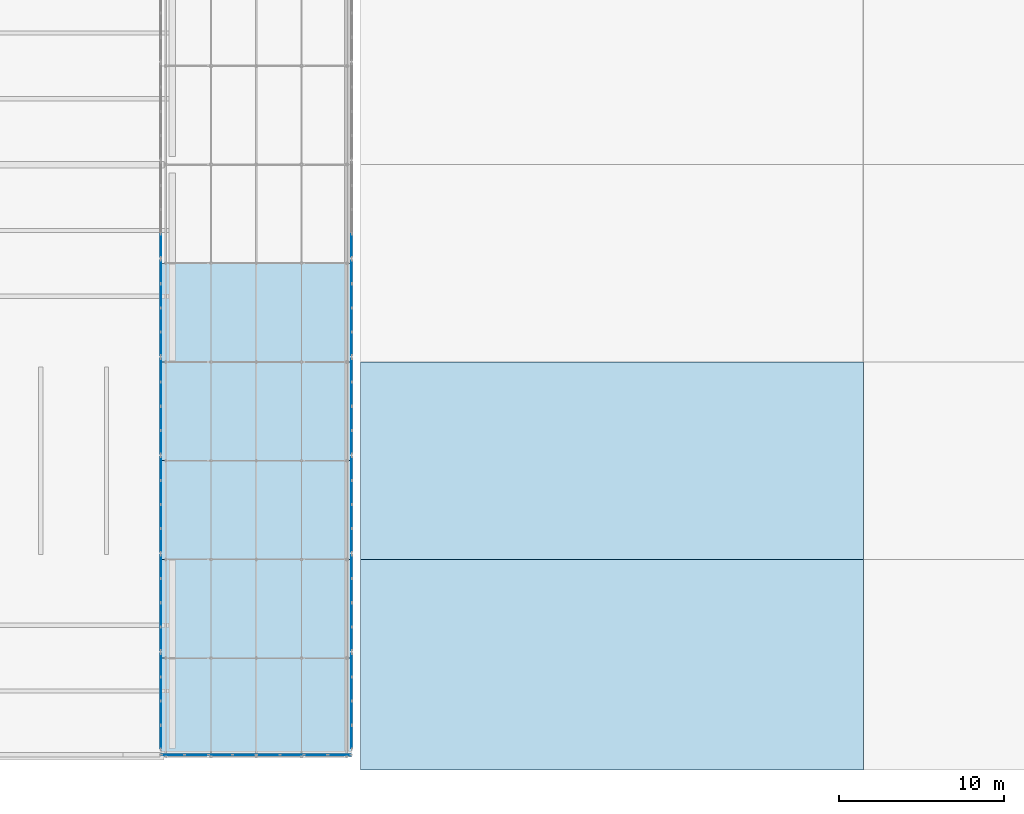
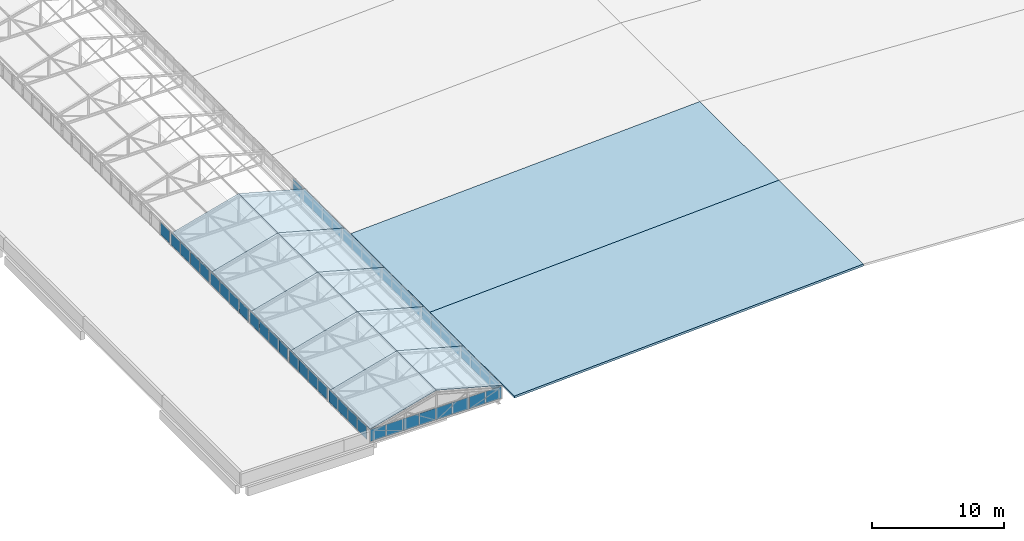
# One storey, part 77 of 94: 50 plates, 12 slabs, 13 elements without a shape of their own.
"""IFC4 building model written with IfcOpenShell, lengths in metres."""

from ifc_helpers import new_model, si_unit, direction, frame, origin, origin_2d, place, context, subcontext, project, spatial, polyline, rectangle, outline, extrude, material, layer, layer_set, type_object, element, aggregate, save


model = new_model("IFC4")

# Units and contexts
model_context = context("Model", 3, precision=1e-05, world=origin(), true_north=direction((0.0, 1.0)))
body_context = subcontext(model_context, "Body", "Model", "MODEL_VIEW")
ifc_project = project(units=[si_unit("LENGTHUNIT", "METRE"), si_unit("AREAUNIT", "SQUARE_METRE"), si_unit("VOLUMEUNIT", "CUBIC_METRE"), si_unit("PLANEANGLEUNIT", "RADIAN"), si_unit("MASSUNIT", "GRAM", prefix="KILO")], contexts=[model_context])

# Site, building, storey
site_placement = place(None, origin())
site = spatial("IfcSite", under=ifc_project, at=site_placement, CompositionType="ELEMENT")
building_placement = place(site_placement, origin())
building = spatial("IfcBuilding", under=site, at=building_placement, Name="Lilac Gate Convention Centre", CompositionType="ELEMENT")
storey_placement = place(building_placement, frame((0.0, 0.0, 21.0)))
storey = spatial("IfcBuildingStorey", under=building, at=storey_placement, Name="L04", CompositionType="ELEMENT", Elevation=21.0)

# Curtain wall, plates
ifc_material_1 = material(Name="Aluminium framed double glazing", Category="aluminium")
ifc_layer_1 = layer(ifc_material_1, 0.199951171875)
ifc_layer_set_1 = layer_set([ifc_layer_1], Name="Aluminium framed double glazing")
curtain_wall_type = type_object("IfcCurtainWallType", Name="Unitised curtain wall 1500", PredefinedType="NOTDEFINED", material=ifc_layer_set_1)
curtain_wall_1_placement = place(storey_placement, origin())
curtain_wall_1 = element("IfcCurtainWall", 1, at=curtain_wall_1_placement, inside=storey, type_object=curtain_wall_type, Name="Lantern clerestory W 1", PredefinedType="NOTDEFINED")
ifc_material_2 = material(Name="Double glazed unit low emissivity")
ifc_layer_2 = layer(ifc_material_2, 0.028076171875)
ifc_layer_set_2 = layer_set([ifc_layer_2], Name="Double glazed unit low emissivity")
plate_type = type_object("IfcPlateType", Name="Curtain wall glass panel 28", PredefinedType="CURTAIN_PANEL", material=ifc_layer_set_2)
plate_1_placement = place(storey_placement, frame((17.300048828125, 31.19921875, 0.06005859375), z_axis=(0.0, 0.0, 1.0), x_axis=(0.0, 1.0, 0.0)))
plate_1 = element("IfcPlate", 2, at=plate_1_placement, type_object=plate_type, Name="CW panel 1.1", PredefinedType="CURTAIN_PANEL", context=body_context, shape_type="SweptSolid", body=[
    extrude(rectangle(XDim=1.378662109375, YDim=0.028076171875, at=origin_2d()), origin(), (0.0, 0.0, 1.0), 1.152099609375),
])
plate_2_placement = place(storey_placement, frame((17.300048828125, 32.653076171875, 0.06005859375), z_axis=(0.0, 0.0, 1.0), x_axis=(0.0, 1.0, 0.0)))
plate_2 = element("IfcPlate", 3, at=plate_2_placement, type_object=plate_type, Name="CW panel 2.1", PredefinedType="CURTAIN_PANEL", context=body_context, shape_type="SweptSolid", body=[
    extrude(rectangle(XDim=1.40869140625, YDim=0.028076171875, at=origin_2d()), origin(), (0.0, 0.0, 1.0), 1.152099609375),
])
plate_3_placement = place(storey_placement, frame((17.300048828125, 34.121826171875, 0.06005859375), z_axis=(0.0, 0.0, 1.0), x_axis=(0.0, 1.0, 0.0)))
plate_3 = element("IfcPlate", 4, at=plate_3_placement, type_object=plate_type, Name="CW panel 3.1", PredefinedType="CURTAIN_PANEL", context=body_context, shape_type="SweptSolid", body=[
    extrude(rectangle(XDim=1.40869140625, YDim=0.028076171875, at=origin_2d()), origin(), (0.0, 0.0, 1.0), 1.152099609375),
])
plate_4_placement = place(storey_placement, frame((17.300048828125, 35.57568359375, 0.06005859375), z_axis=(0.0, 0.0, 1.0), x_axis=(0.0, 1.0, 0.0)))
plate_4 = element("IfcPlate", 5, at=plate_4_placement, type_object=plate_type, Name="CW panel 4.1", PredefinedType="CURTAIN_PANEL", context=body_context, shape_type="SweptSolid", body=[
    extrude(rectangle(XDim=1.378662109375, YDim=0.028076171875, at=origin_2d()), origin(), (0.0, 0.0, 1.0), 1.152099609375),
])
aggregate(curtain_wall_1, [plate_1, plate_2, plate_3, plate_4])

curtain_wall_2_placement = place(storey_placement, origin())
curtain_wall_2 = element("IfcCurtainWall", 6, at=curtain_wall_2_placement, inside=storey, type_object=curtain_wall_type, Name="Lantern clerestory W 2", PredefinedType="NOTDEFINED")
plate_5_placement = place(storey_placement, frame((17.300048828125, 37.17431640625, 0.06005859375), z_axis=(0.0, 0.0, 1.0), x_axis=(0.0, 1.0, 0.0)))
plate_5 = element("IfcPlate", 7, at=plate_5_placement, type_object=plate_type, Name="CW panel 1.1", PredefinedType="CURTAIN_PANEL", context=body_context, shape_type="SweptSolid", body=[
    extrude(rectangle(XDim=1.378662109375, YDim=0.028076171875, at=origin_2d()), origin(), (0.0, 0.0, 1.0), 1.152099609375),
])
plate_6_placement = place(storey_placement, frame((17.300048828125, 38.628173828125, 0.06005859375), z_axis=(0.0, 0.0, 1.0), x_axis=(0.0, 1.0, 0.0)))
plate_6 = element("IfcPlate", 8, at=plate_6_placement, type_object=plate_type, Name="CW panel 2.1", PredefinedType="CURTAIN_PANEL", context=body_context, shape_type="SweptSolid", body=[
    extrude(rectangle(XDim=1.40869140625, YDim=0.028076171875, at=origin_2d()), origin(), (0.0, 0.0, 1.0), 1.152099609375),
])
plate_7_placement = place(storey_placement, frame((17.300048828125, 40.096923828125, 0.06005859375), z_axis=(0.0, 0.0, 1.0), x_axis=(0.0, 1.0, 0.0)))
plate_7 = element("IfcPlate", 9, at=plate_7_placement, type_object=plate_type, Name="CW panel 3.1", PredefinedType="CURTAIN_PANEL", context=body_context, shape_type="SweptSolid", body=[
    extrude(rectangle(XDim=1.40869140625, YDim=0.028076171875, at=origin_2d()), origin(), (0.0, 0.0, 1.0), 1.152099609375),
])
plate_8_placement = place(storey_placement, frame((17.300048828125, 41.55078125, 0.06005859375), z_axis=(0.0, 0.0, 1.0), x_axis=(0.0, 1.0, 0.0)))
plate_8 = element("IfcPlate", 10, at=plate_8_placement, type_object=plate_type, Name="CW panel 4.1", PredefinedType="CURTAIN_PANEL", context=body_context, shape_type="SweptSolid", body=[
    extrude(rectangle(XDim=1.378662109375, YDim=0.028076171875, at=origin_2d()), origin(), (0.0, 0.0, 1.0), 1.152099609375),
])
aggregate(curtain_wall_2, [plate_5, plate_6, plate_7, plate_8])

curtain_wall_3_placement = place(storey_placement, origin())
curtain_wall_3 = element("IfcCurtainWall", 11, at=curtain_wall_3_placement, inside=storey, type_object=curtain_wall_type, Name="Lantern clerestory W 3", PredefinedType="NOTDEFINED")
plate_9_placement = place(storey_placement, frame((17.300048828125, 43.149169921875, 0.06005859375), z_axis=(0.0, 0.0, 1.0), x_axis=(0.0, 1.0, 0.0)))
plate_9 = element("IfcPlate", 12, at=plate_9_placement, type_object=plate_type, Name="CW panel 1.1", PredefinedType="CURTAIN_PANEL", context=body_context, shape_type="SweptSolid", body=[
    extrude(rectangle(XDim=1.378662109375, YDim=0.028076171875, at=origin_2d()), origin(), (0.0, 0.0, 1.0), 1.152099609375),
])
plate_10_placement = place(storey_placement, frame((17.300048828125, 44.60302734375, 0.06005859375), z_axis=(0.0, 0.0, 1.0), x_axis=(0.0, 1.0, 0.0)))
plate_10 = element("IfcPlate", 13, at=plate_10_placement, type_object=plate_type, Name="CW panel 2.1", PredefinedType="CURTAIN_PANEL", context=body_context, shape_type="SweptSolid", body=[
    extrude(rectangle(XDim=1.40869140625, YDim=0.028076171875, at=origin_2d()), origin(), (0.0, 0.0, 1.0), 1.152099609375),
])
plate_11_placement = place(storey_placement, frame((17.300048828125, 46.07177734375, 0.06005859375), z_axis=(0.0, 0.0, 1.0), x_axis=(0.0, 1.0, 0.0)))
plate_11 = element("IfcPlate", 14, at=plate_11_placement, type_object=plate_type, Name="CW panel 3.1", PredefinedType="CURTAIN_PANEL", context=body_context, shape_type="SweptSolid", body=[
    extrude(rectangle(XDim=1.40869140625, YDim=0.028076171875, at=origin_2d()), origin(), (0.0, 0.0, 1.0), 1.152099609375),
])
plate_12_placement = place(storey_placement, frame((17.300048828125, 47.525634765625, 0.06005859375), z_axis=(0.0, 0.0, 1.0), x_axis=(0.0, 1.0, 0.0)))
plate_12 = element("IfcPlate", 15, at=plate_12_placement, type_object=plate_type, Name="CW panel 4.1", PredefinedType="CURTAIN_PANEL", context=body_context, shape_type="SweptSolid", body=[
    extrude(rectangle(XDim=1.378662109375, YDim=0.028076171875, at=origin_2d()), origin(), (0.0, 0.0, 1.0), 1.152099609375),
])
aggregate(curtain_wall_3, [plate_9, plate_10, plate_11, plate_12])

curtain_wall_4_placement = place(storey_placement, origin())
curtain_wall_4 = element("IfcCurtainWall", 16, at=curtain_wall_4_placement, inside=storey, type_object=curtain_wall_type, Name="Lantern clerestory W 4", PredefinedType="NOTDEFINED")
plate_13_placement = place(storey_placement, frame((17.300048828125, 49.124267578125, 0.06005859375), z_axis=(0.0, 0.0, 1.0), x_axis=(0.0, 1.0, 0.0)))
plate_13 = element("IfcPlate", 17, at=plate_13_placement, type_object=plate_type, Name="CW panel 1.1", PredefinedType="CURTAIN_PANEL", context=body_context, shape_type="SweptSolid", body=[
    extrude(rectangle(XDim=1.378662109375, YDim=0.028076171875, at=origin_2d()), origin(), (0.0, 0.0, 1.0), 1.152099609375),
])
plate_14_placement = place(storey_placement, frame((17.300048828125, 50.578125, 0.06005859375), z_axis=(0.0, 0.0, 1.0), x_axis=(0.0, 1.0, 0.0)))
plate_14 = element("IfcPlate", 18, at=plate_14_placement, type_object=plate_type, Name="CW panel 2.1", PredefinedType="CURTAIN_PANEL", context=body_context, shape_type="SweptSolid", body=[
    extrude(rectangle(XDim=1.40869140625, YDim=0.028076171875, at=origin_2d()), origin(), (0.0, 0.0, 1.0), 1.152099609375),
])
plate_15_placement = place(storey_placement, frame((17.300048828125, 52.046875, 0.06005859375), z_axis=(0.0, 0.0, 1.0), x_axis=(0.0, 1.0, 0.0)))
plate_15 = element("IfcPlate", 19, at=plate_15_placement, type_object=plate_type, Name="CW panel 3.1", PredefinedType="CURTAIN_PANEL", context=body_context, shape_type="SweptSolid", body=[
    extrude(rectangle(XDim=1.40869140625, YDim=0.028076171875, at=origin_2d()), origin(), (0.0, 0.0, 1.0), 1.152099609375),
])
plate_16_placement = place(storey_placement, frame((17.300048828125, 53.500732421875, 0.06005859375), z_axis=(0.0, 0.0, 1.0), x_axis=(0.0, 1.0, 0.0)))
plate_16 = element("IfcPlate", 20, at=plate_16_placement, type_object=plate_type, Name="CW panel 4.1", PredefinedType="CURTAIN_PANEL", context=body_context, shape_type="SweptSolid", body=[
    extrude(rectangle(XDim=1.378662109375, YDim=0.028076171875, at=origin_2d()), origin(), (0.0, 0.0, 1.0), 1.152099609375),
])
aggregate(curtain_wall_4, [plate_13, plate_14, plate_15, plate_16])

curtain_wall_5_placement = place(storey_placement, origin())
curtain_wall_5 = element("IfcCurtainWall", 21, at=curtain_wall_5_placement, inside=storey, type_object=curtain_wall_type, Name="Lantern clerestory W 5", PredefinedType="NOTDEFINED")
plate_17_placement = place(storey_placement, frame((17.300048828125, 55.099365234375, 0.06005859375), z_axis=(0.0, 0.0, 1.0), x_axis=(0.0, 1.0, 0.0)))
plate_17 = element("IfcPlate", 22, at=plate_17_placement, type_object=plate_type, Name="CW panel 1.1", PredefinedType="CURTAIN_PANEL", context=body_context, shape_type="SweptSolid", body=[
    extrude(rectangle(XDim=1.378662109375, YDim=0.028076171875, at=origin_2d()), origin(), (0.0, 0.0, 1.0), 1.152099609375),
])
plate_18_placement = place(storey_placement, frame((17.300048828125, 56.55322265625, 0.06005859375), z_axis=(0.0, 0.0, 1.0), x_axis=(0.0, 1.0, 0.0)))
plate_18 = element("IfcPlate", 23, at=plate_18_placement, type_object=plate_type, Name="CW panel 2.1", PredefinedType="CURTAIN_PANEL", context=body_context, shape_type="SweptSolid", body=[
    extrude(rectangle(XDim=1.40869140625, YDim=0.028076171875, at=origin_2d()), origin(), (0.0, 0.0, 1.0), 1.152099609375),
])
plate_19_placement = place(storey_placement, frame((17.300048828125, 58.02197265625, 0.06005859375), z_axis=(0.0, 0.0, 1.0), x_axis=(0.0, 1.0, 0.0)))
plate_19 = element("IfcPlate", 24, at=plate_19_placement, type_object=plate_type, Name="CW panel 3.1", PredefinedType="CURTAIN_PANEL", context=body_context, shape_type="SweptSolid", body=[
    extrude(rectangle(XDim=1.40869140625, YDim=0.028076171875, at=origin_2d()), origin(), (0.0, 0.0, 1.0), 1.152099609375),
])
plate_20_placement = place(storey_placement, frame((17.300048828125, 59.475830078125, 0.06005859375), z_axis=(0.0, 0.0, 1.0), x_axis=(0.0, 1.0, 0.0)))
plate_20 = element("IfcPlate", 25, at=plate_20_placement, type_object=plate_type, Name="CW panel 4.1", PredefinedType="CURTAIN_PANEL", context=body_context, shape_type="SweptSolid", body=[
    extrude(rectangle(XDim=1.378662109375, YDim=0.028076171875, at=origin_2d()), origin(), (0.0, 0.0, 1.0), 1.152099609375),
])
aggregate(curtain_wall_5, [plate_17, plate_18, plate_19, plate_20])

# Curtain wall, plate
curtain_wall_6_placement = place(storey_placement, origin())
curtain_wall_6 = element("IfcCurtainWall", 26, at=curtain_wall_6_placement, inside=storey, type_object=curtain_wall_type, Name="Lantern clerestory W 6", PredefinedType="NOTDEFINED")
plate_21_placement = place(storey_placement, frame((17.300048828125, 61.07421875, 0.06005859375), z_axis=(0.0, 0.0, 1.0), x_axis=(0.0, 1.0, 0.0)))
plate_21 = element("IfcPlate", 27, at=plate_21_placement, type_object=plate_type, Name="CW panel 1.1", PredefinedType="CURTAIN_PANEL", context=body_context, shape_type="SweptSolid", body=[
    extrude(rectangle(XDim=1.378662109375, YDim=0.028076171875, at=origin_2d()), origin(), (0.0, 0.0, 1.0), 1.152099609375),
])
aggregate(curtain_wall_6, [plate_21])

# Curtain wall, plates
curtain_wall_7_placement = place(storey_placement, origin())
curtain_wall_7 = element("IfcCurtainWall", 28, at=curtain_wall_7_placement, inside=storey, type_object=curtain_wall_type, Name="Lantern clerestory E 1", PredefinedType="NOTDEFINED")
plate_22_placement = place(storey_placement, frame((28.89990234375, 31.19921875, 0.06005859375), z_axis=(0.0, 0.0, 1.0), x_axis=(0.0, 1.0, 0.0)))
plate_22 = element("IfcPlate", 29, at=plate_22_placement, type_object=plate_type, Name="CW panel 1.1", PredefinedType="CURTAIN_PANEL", context=body_context, shape_type="SweptSolid", body=[
    extrude(rectangle(XDim=1.378662109375, YDim=0.028076171875, at=origin_2d()), origin(), (0.0, 0.0, 1.0), 1.152099609375),
])
plate_23_placement = place(storey_placement, frame((28.89990234375, 32.653076171875, 0.06005859375), z_axis=(0.0, 0.0, 1.0), x_axis=(0.0, 1.0, 0.0)))
plate_23 = element("IfcPlate", 30, at=plate_23_placement, type_object=plate_type, Name="CW panel 2.1", PredefinedType="CURTAIN_PANEL", context=body_context, shape_type="SweptSolid", body=[
    extrude(rectangle(XDim=1.40869140625, YDim=0.028076171875, at=origin_2d()), origin(), (0.0, 0.0, 1.0), 1.152099609375),
])
plate_24_placement = place(storey_placement, frame((28.89990234375, 34.121826171875, 0.06005859375), z_axis=(0.0, 0.0, 1.0), x_axis=(0.0, 1.0, 0.0)))
plate_24 = element("IfcPlate", 31, at=plate_24_placement, type_object=plate_type, Name="CW panel 3.1", PredefinedType="CURTAIN_PANEL", context=body_context, shape_type="SweptSolid", body=[
    extrude(rectangle(XDim=1.40869140625, YDim=0.028076171875, at=origin_2d()), origin(), (0.0, 0.0, 1.0), 1.152099609375),
])
plate_25_placement = place(storey_placement, frame((28.89990234375, 35.57568359375, 0.06005859375), z_axis=(0.0, 0.0, 1.0), x_axis=(0.0, 1.0, 0.0)))
plate_25 = element("IfcPlate", 32, at=plate_25_placement, type_object=plate_type, Name="CW panel 4.1", PredefinedType="CURTAIN_PANEL", context=body_context, shape_type="SweptSolid", body=[
    extrude(rectangle(XDim=1.378662109375, YDim=0.028076171875, at=origin_2d()), origin(), (0.0, 0.0, 1.0), 1.152099609375),
])
aggregate(curtain_wall_7, [plate_22, plate_23, plate_24, plate_25])

curtain_wall_8_placement = place(storey_placement, origin())
curtain_wall_8 = element("IfcCurtainWall", 33, at=curtain_wall_8_placement, inside=storey, type_object=curtain_wall_type, Name="Lantern clerestory E 2", PredefinedType="NOTDEFINED")
plate_26_placement = place(storey_placement, frame((28.89990234375, 37.17431640625, 0.06005859375), z_axis=(0.0, 0.0, 1.0), x_axis=(0.0, 1.0, 0.0)))
plate_26 = element("IfcPlate", 34, at=plate_26_placement, type_object=plate_type, Name="CW panel 1.1", PredefinedType="CURTAIN_PANEL", context=body_context, shape_type="SweptSolid", body=[
    extrude(rectangle(XDim=1.378662109375, YDim=0.028076171875, at=origin_2d()), origin(), (0.0, 0.0, 1.0), 1.152099609375),
])
plate_27_placement = place(storey_placement, frame((28.89990234375, 38.628173828125, 0.06005859375), z_axis=(0.0, 0.0, 1.0), x_axis=(0.0, 1.0, 0.0)))
plate_27 = element("IfcPlate", 35, at=plate_27_placement, type_object=plate_type, Name="CW panel 2.1", PredefinedType="CURTAIN_PANEL", context=body_context, shape_type="SweptSolid", body=[
    extrude(rectangle(XDim=1.40869140625, YDim=0.028076171875, at=origin_2d()), origin(), (0.0, 0.0, 1.0), 1.152099609375),
])
plate_28_placement = place(storey_placement, frame((28.89990234375, 40.096923828125, 0.06005859375), z_axis=(0.0, 0.0, 1.0), x_axis=(0.0, 1.0, 0.0)))
plate_28 = element("IfcPlate", 36, at=plate_28_placement, type_object=plate_type, Name="CW panel 3.1", PredefinedType="CURTAIN_PANEL", context=body_context, shape_type="SweptSolid", body=[
    extrude(rectangle(XDim=1.40869140625, YDim=0.028076171875, at=origin_2d()), origin(), (0.0, 0.0, 1.0), 1.152099609375),
])
plate_29_placement = place(storey_placement, frame((28.89990234375, 41.55078125, 0.06005859375), z_axis=(0.0, 0.0, 1.0), x_axis=(0.0, 1.0, 0.0)))
plate_29 = element("IfcPlate", 37, at=plate_29_placement, type_object=plate_type, Name="CW panel 4.1", PredefinedType="CURTAIN_PANEL", context=body_context, shape_type="SweptSolid", body=[
    extrude(rectangle(XDim=1.378662109375, YDim=0.028076171875, at=origin_2d()), origin(), (0.0, 0.0, 1.0), 1.152099609375),
])
aggregate(curtain_wall_8, [plate_26, plate_27, plate_28, plate_29])

curtain_wall_9_placement = place(storey_placement, origin())
curtain_wall_9 = element("IfcCurtainWall", 38, at=curtain_wall_9_placement, inside=storey, type_object=curtain_wall_type, Name="Lantern clerestory E 3", PredefinedType="NOTDEFINED")
plate_30_placement = place(storey_placement, frame((28.89990234375, 43.149169921875, 0.06005859375), z_axis=(0.0, 0.0, 1.0), x_axis=(0.0, 1.0, 0.0)))
plate_30 = element("IfcPlate", 39, at=plate_30_placement, type_object=plate_type, Name="CW panel 1.1", PredefinedType="CURTAIN_PANEL", context=body_context, shape_type="SweptSolid", body=[
    extrude(rectangle(XDim=1.378662109375, YDim=0.028076171875, at=origin_2d()), origin(), (0.0, 0.0, 1.0), 1.152099609375),
])
plate_31_placement = place(storey_placement, frame((28.89990234375, 44.60302734375, 0.06005859375), z_axis=(0.0, 0.0, 1.0), x_axis=(0.0, 1.0, 0.0)))
plate_31 = element("IfcPlate", 40, at=plate_31_placement, type_object=plate_type, Name="CW panel 2.1", PredefinedType="CURTAIN_PANEL", context=body_context, shape_type="SweptSolid", body=[
    extrude(rectangle(XDim=1.40869140625, YDim=0.028076171875, at=origin_2d()), origin(), (0.0, 0.0, 1.0), 1.152099609375),
])
plate_32_placement = place(storey_placement, frame((28.89990234375, 46.07177734375, 0.06005859375), z_axis=(0.0, 0.0, 1.0), x_axis=(0.0, 1.0, 0.0)))
plate_32 = element("IfcPlate", 41, at=plate_32_placement, type_object=plate_type, Name="CW panel 3.1", PredefinedType="CURTAIN_PANEL", context=body_context, shape_type="SweptSolid", body=[
    extrude(rectangle(XDim=1.40869140625, YDim=0.028076171875, at=origin_2d()), origin(), (0.0, 0.0, 1.0), 1.152099609375),
])
plate_33_placement = place(storey_placement, frame((28.89990234375, 47.525634765625, 0.06005859375), z_axis=(0.0, 0.0, 1.0), x_axis=(0.0, 1.0, 0.0)))
plate_33 = element("IfcPlate", 42, at=plate_33_placement, type_object=plate_type, Name="CW panel 4.1", PredefinedType="CURTAIN_PANEL", context=body_context, shape_type="SweptSolid", body=[
    extrude(rectangle(XDim=1.378662109375, YDim=0.028076171875, at=origin_2d()), origin(), (0.0, 0.0, 1.0), 1.152099609375),
])
aggregate(curtain_wall_9, [plate_30, plate_31, plate_32, plate_33])

curtain_wall_10_placement = place(storey_placement, origin())
curtain_wall_10 = element("IfcCurtainWall", 43, at=curtain_wall_10_placement, inside=storey, type_object=curtain_wall_type, Name="Lantern clerestory E 4", PredefinedType="NOTDEFINED")
plate_34_placement = place(storey_placement, frame((28.89990234375, 49.124267578125, 0.06005859375), z_axis=(0.0, 0.0, 1.0), x_axis=(0.0, 1.0, 0.0)))
plate_34 = element("IfcPlate", 44, at=plate_34_placement, type_object=plate_type, Name="CW panel 1.1", PredefinedType="CURTAIN_PANEL", context=body_context, shape_type="SweptSolid", body=[
    extrude(rectangle(XDim=1.378662109375, YDim=0.028076171875, at=origin_2d()), origin(), (0.0, 0.0, 1.0), 1.152099609375),
])
plate_35_placement = place(storey_placement, frame((28.89990234375, 50.578125, 0.06005859375), z_axis=(0.0, 0.0, 1.0), x_axis=(0.0, 1.0, 0.0)))
plate_35 = element("IfcPlate", 45, at=plate_35_placement, type_object=plate_type, Name="CW panel 2.1", PredefinedType="CURTAIN_PANEL", context=body_context, shape_type="SweptSolid", body=[
    extrude(rectangle(XDim=1.40869140625, YDim=0.028076171875, at=origin_2d()), origin(), (0.0, 0.0, 1.0), 1.152099609375),
])
plate_36_placement = place(storey_placement, frame((28.89990234375, 52.046875, 0.06005859375), z_axis=(0.0, 0.0, 1.0), x_axis=(0.0, 1.0, 0.0)))
plate_36 = element("IfcPlate", 46, at=plate_36_placement, type_object=plate_type, Name="CW panel 3.1", PredefinedType="CURTAIN_PANEL", context=body_context, shape_type="SweptSolid", body=[
    extrude(rectangle(XDim=1.40869140625, YDim=0.028076171875, at=origin_2d()), origin(), (0.0, 0.0, 1.0), 1.152099609375),
])
plate_37_placement = place(storey_placement, frame((28.89990234375, 53.500732421875, 0.06005859375), z_axis=(0.0, 0.0, 1.0), x_axis=(0.0, 1.0, 0.0)))
plate_37 = element("IfcPlate", 47, at=plate_37_placement, type_object=plate_type, Name="CW panel 4.1", PredefinedType="CURTAIN_PANEL", context=body_context, shape_type="SweptSolid", body=[
    extrude(rectangle(XDim=1.378662109375, YDim=0.028076171875, at=origin_2d()), origin(), (0.0, 0.0, 1.0), 1.152099609375),
])
aggregate(curtain_wall_10, [plate_34, plate_35, plate_36, plate_37])

curtain_wall_11_placement = place(storey_placement, origin())
curtain_wall_11 = element("IfcCurtainWall", 48, at=curtain_wall_11_placement, inside=storey, type_object=curtain_wall_type, Name="Lantern clerestory E 5", PredefinedType="NOTDEFINED")
plate_38_placement = place(storey_placement, frame((28.89990234375, 55.099365234375, 0.06005859375), z_axis=(0.0, 0.0, 1.0), x_axis=(0.0, 1.0, 0.0)))
plate_38 = element("IfcPlate", 49, at=plate_38_placement, type_object=plate_type, Name="CW panel 1.1", PredefinedType="CURTAIN_PANEL", context=body_context, shape_type="SweptSolid", body=[
    extrude(rectangle(XDim=1.378662109375, YDim=0.028076171875, at=origin_2d()), origin(), (0.0, 0.0, 1.0), 1.152099609375),
])
plate_39_placement = place(storey_placement, frame((28.89990234375, 56.55322265625, 0.06005859375), z_axis=(0.0, 0.0, 1.0), x_axis=(0.0, 1.0, 0.0)))
plate_39 = element("IfcPlate", 50, at=plate_39_placement, type_object=plate_type, Name="CW panel 2.1", PredefinedType="CURTAIN_PANEL", context=body_context, shape_type="SweptSolid", body=[
    extrude(rectangle(XDim=1.40869140625, YDim=0.028076171875, at=origin_2d()), origin(), (0.0, 0.0, 1.0), 1.152099609375),
])
plate_40_placement = place(storey_placement, frame((28.89990234375, 58.02197265625, 0.06005859375), z_axis=(0.0, 0.0, 1.0), x_axis=(0.0, 1.0, 0.0)))
plate_40 = element("IfcPlate", 51, at=plate_40_placement, type_object=plate_type, Name="CW panel 3.1", PredefinedType="CURTAIN_PANEL", context=body_context, shape_type="SweptSolid", body=[
    extrude(rectangle(XDim=1.40869140625, YDim=0.028076171875, at=origin_2d()), origin(), (0.0, 0.0, 1.0), 1.152099609375),
])
plate_41_placement = place(storey_placement, frame((28.89990234375, 59.475830078125, 0.06005859375), z_axis=(0.0, 0.0, 1.0), x_axis=(0.0, 1.0, 0.0)))
plate_41 = element("IfcPlate", 52, at=plate_41_placement, type_object=plate_type, Name="CW panel 4.1", PredefinedType="CURTAIN_PANEL", context=body_context, shape_type="SweptSolid", body=[
    extrude(rectangle(XDim=1.378662109375, YDim=0.028076171875, at=origin_2d()), origin(), (0.0, 0.0, 1.0), 1.152099609375),
])
aggregate(curtain_wall_11, [plate_38, plate_39, plate_40, plate_41])

# Curtain wall, plate
curtain_wall_12_placement = place(storey_placement, origin())
curtain_wall_12 = element("IfcCurtainWall", 53, at=curtain_wall_12_placement, inside=storey, type_object=curtain_wall_type, Name="Lantern clerestory E 6", PredefinedType="NOTDEFINED")
plate_42_placement = place(storey_placement, frame((28.89990234375, 61.07421875, 0.06005859375), z_axis=(0.0, 0.0, 1.0), x_axis=(0.0, 1.0, 0.0)))
plate_42 = element("IfcPlate", 54, at=plate_42_placement, type_object=plate_type, Name="CW panel 1.1", PredefinedType="CURTAIN_PANEL", context=body_context, shape_type="SweptSolid", body=[
    extrude(rectangle(XDim=1.378662109375, YDim=0.028076171875, at=origin_2d()), origin(), (0.0, 0.0, 1.0), 1.152099609375),
])
aggregate(curtain_wall_12, [plate_42])

# Curtain wall, plates
curtain_wall_13_placement = place(storey_placement, origin())
curtain_wall_13 = element("IfcCurtainWall", 55, at=curtain_wall_13_placement, inside=storey, type_object=curtain_wall_type, Name="Lantern end glazing S", PredefinedType="NOTDEFINED")
plate_43_placement = place(storey_placement, frame((18.0400390625, 30.1201171875, 0.06005859375), z_axis=(0.0, 0.0, 1.0), x_axis=(1.0, 0.0, 0.0)))
plate_43 = element("IfcPlate", 56, at=plate_43_placement, type_object=plate_type, Name="CW panel 1.1", PredefinedType="CURTAIN_PANEL", context=body_context, shape_type="SweptSolid", body=[
    extrude(rectangle(XDim=1.35986328125, YDim=0.028076171875, at=origin_2d()), origin(), (0.0, 0.0, 1.0), 1.10205078125),
])
plate_44_placement = place(storey_placement, frame((19.47509765625, 30.1201171875, 0.06005859375), z_axis=(0.0, 0.0, 1.0), x_axis=(1.0, 0.0, 0.0)))
plate_44 = element("IfcPlate", 57, at=plate_44_placement, type_object=plate_type, Name="CW panel 2.1", PredefinedType="CURTAIN_PANEL", context=body_context, shape_type="SweptSolid", body=[
    extrude(rectangle(XDim=1.389892578125, YDim=0.028076171875, at=origin_2d()), origin(), (0.0, 0.0, 1.0), 1.10205078125),
])
plate_45_placement = place(storey_placement, frame((20.925048828125, 30.1201171875, 0.06005859375), z_axis=(0.0, 0.0, 1.0), x_axis=(1.0, 0.0, 0.0)))
plate_45 = element("IfcPlate", 58, at=plate_45_placement, type_object=plate_type, Name="CW panel 3.1", PredefinedType="CURTAIN_PANEL", context=body_context, shape_type="SweptSolid", body=[
    extrude(rectangle(XDim=1.389892578125, YDim=0.028076171875, at=origin_2d()), origin(), (0.0, 0.0, 1.0), 1.10205078125),
])
plate_46_placement = place(storey_placement, frame((22.375, 30.1201171875, 0.06005859375), z_axis=(0.0, 0.0, 1.0), x_axis=(1.0, 0.0, 0.0)))
plate_46 = element("IfcPlate", 59, at=plate_46_placement, type_object=plate_type, Name="CW panel 4.1", PredefinedType="CURTAIN_PANEL", context=body_context, shape_type="SweptSolid", body=[
    extrude(rectangle(XDim=1.389892578125, YDim=0.028076171875, at=origin_2d()), origin(), (0.0, 0.0, 1.0), 1.10205078125),
])
plate_47_placement = place(storey_placement, frame((23.824951171875, 30.1201171875, 0.06005859375), z_axis=(0.0, 0.0, 1.0), x_axis=(1.0, 0.0, 0.0)))
plate_47 = element("IfcPlate", 60, at=plate_47_placement, type_object=plate_type, Name="CW panel 5.1", PredefinedType="CURTAIN_PANEL", context=body_context, shape_type="SweptSolid", body=[
    extrude(rectangle(XDim=1.389892578125, YDim=0.028076171875, at=origin_2d()), origin(), (0.0, 0.0, 1.0), 1.10205078125),
])
plate_48_placement = place(storey_placement, frame((25.27490234375, 30.1201171875, 0.06005859375), z_axis=(0.0, 0.0, 1.0), x_axis=(1.0, 0.0, 0.0)))
plate_48 = element("IfcPlate", 61, at=plate_48_placement, type_object=plate_type, Name="CW panel 6.1", PredefinedType="CURTAIN_PANEL", context=body_context, shape_type="SweptSolid", body=[
    extrude(rectangle(XDim=1.389892578125, YDim=0.028076171875, at=origin_2d()), origin(), (0.0, 0.0, 1.0), 1.10205078125),
])
plate_49_placement = place(storey_placement, frame((26.724853515625, 30.1201171875, 0.06005859375), z_axis=(0.0, 0.0, 1.0), x_axis=(1.0, 0.0, 0.0)))
plate_49 = element("IfcPlate", 62, at=plate_49_placement, type_object=plate_type, Name="CW panel 7.1", PredefinedType="CURTAIN_PANEL", context=body_context, shape_type="SweptSolid", body=[
    extrude(rectangle(XDim=1.389892578125, YDim=0.028076171875, at=origin_2d()), origin(), (0.0, 0.0, 1.0), 1.10205078125),
])
plate_50_placement = place(storey_placement, frame((28.159912109375, 30.1201171875, 0.06005859375), z_axis=(0.0, 0.0, 1.0), x_axis=(1.0, 0.0, 0.0)))
plate_50 = element("IfcPlate", 63, at=plate_50_placement, type_object=plate_type, Name="CW panel 8.1", PredefinedType="CURTAIN_PANEL", context=body_context, shape_type="SweptSolid", body=[
    extrude(rectangle(XDim=1.35986328125, YDim=0.028076171875, at=origin_2d()), origin(), (0.0, 0.0, 1.0), 1.10205078125),
])
aggregate(curtain_wall_13, [plate_43, plate_44, plate_45, plate_46, plate_47, plate_48, plate_49, plate_50])

# Slabs
ifc_material_3 = material(Name="Low emissivity safety glass, bonded interlayer", Category="glass")
ifc_layer_3 = layer(ifc_material_3, 0.0400390625)
ifc_layer_set_3 = layer_set([ifc_layer_3], Name="Low emissivity safety glass, bonded interlayer")
slab_type_1 = type_object("IfcSlabType", Name="Lantern glazing panel 40", PredefinedType="ROOF", material=ifc_layer_set_3)
slab_1_placement = place(storey_placement, frame((17.300048828125, 30.0, 1.313720703125), z_axis=(-0.263110533367, 0.0, 0.964765695509), x_axis=(0.964765695509, 0.0, 0.263110533367)))
element("IfcSlab", 64, at=slab_1_placement, inside=storey, type_object=slab_type_1, Name="Lantern glazing W 1", PredefinedType="ROOF", context=body_context, shape_type="SweptSolid", body=[
    extrude(outline(polyline([(0.0, 0.0), (6.011872991673984, 0.0), (6.011872991673984, 5.999999999999999), (0.0, 5.999999999999999), (0.0, 0.0)])), origin(), (0.0, 0.0, -1.0), 0.0400390625),
])
slab_2_placement = place(storey_placement, frame((23.10009765625, 30.0, 2.8955078125), z_axis=(0.263120842134, 0.0, 0.964762884047), x_axis=(0.964762884047, 0.0, -0.263120842134)))
element("IfcSlab", 65, at=slab_2_placement, inside=storey, type_object=slab_type_1, Name="Lantern glazing E 1", PredefinedType="ROOF", context=body_context, shape_type="SweptSolid", body=[
    extrude(outline(polyline([(0.0, 0.0), (6.011637453517294, 0.0), (6.011637453517294, 6.0), (0.0, 6.0), (0.0, 0.0)])), origin(), (0.0, 0.0, -1.0), 0.0400390625),
])
slab_3_placement = place(storey_placement, frame((17.300048828125, 36.0, 1.313720703125), z_axis=(-0.263110533367, 0.0, 0.964765695509), x_axis=(0.964765695509, 0.0, 0.263110533367)))
element("IfcSlab", 66, at=slab_3_placement, inside=storey, type_object=slab_type_1, Name="Lantern glazing W 2", PredefinedType="ROOF", context=body_context, shape_type="SweptSolid", body=[
    extrude(outline(polyline([(0.0, 0.0), (6.011872991673984, 0.0), (6.011872991673984, 5.999999999999999), (0.0, 5.999999999999999), (0.0, 0.0)])), origin(), (0.0, 0.0, -1.0), 0.0400390625),
])
slab_4_placement = place(storey_placement, frame((23.10009765625, 36.0, 2.8955078125), z_axis=(0.263120842134, 0.0, 0.964762884047), x_axis=(0.964762884047, 0.0, -0.263120842134)))
element("IfcSlab", 67, at=slab_4_placement, inside=storey, type_object=slab_type_1, Name="Lantern glazing E 2", PredefinedType="ROOF", context=body_context, shape_type="SweptSolid", body=[
    extrude(outline(polyline([(0.0, 0.0), (6.011637453517294, 0.0), (6.011637453517294, 6.0), (0.0, 6.0), (0.0, 0.0)])), origin(), (0.0, 0.0, -1.0), 0.0400390625),
])
slab_5_placement = place(storey_placement, frame((17.300048828125, 42.0, 1.313720703125), z_axis=(-0.263110533367, 0.0, 0.964765695509), x_axis=(0.964765695509, 0.0, 0.263110533367)))
element("IfcSlab", 68, at=slab_5_placement, inside=storey, type_object=slab_type_1, Name="Lantern glazing W 3", PredefinedType="ROOF", context=body_context, shape_type="SweptSolid", body=[
    extrude(outline(polyline([(0.0, 0.0), (6.011872991673984, 0.0), (6.011872991673984, 5.999999999999999), (0.0, 5.999999999999999), (0.0, 0.0)])), origin(), (0.0, 0.0, -1.0), 0.0400390625),
])
slab_6_placement = place(storey_placement, frame((23.10009765625, 42.0, 2.8955078125), z_axis=(0.263120842134, 0.0, 0.964762884047), x_axis=(0.964762884047, 0.0, -0.263120842134)))
element("IfcSlab", 69, at=slab_6_placement, inside=storey, type_object=slab_type_1, Name="Lantern glazing E 3", PredefinedType="ROOF", context=body_context, shape_type="SweptSolid", body=[
    extrude(outline(polyline([(0.0, 0.0), (6.011637453517294, 0.0), (6.011637453517294, 6.0), (0.0, 6.0), (0.0, 0.0)])), origin(), (0.0, 0.0, -1.0), 0.0400390625),
])
slab_7_placement = place(storey_placement, frame((17.300048828125, 48.0, 1.313720703125), z_axis=(-0.263110533367, 0.0, 0.964765695509), x_axis=(0.964765695509, 0.0, 0.263110533367)))
element("IfcSlab", 70, at=slab_7_placement, inside=storey, type_object=slab_type_1, Name="Lantern glazing W 4", PredefinedType="ROOF", context=body_context, shape_type="SweptSolid", body=[
    extrude(outline(polyline([(0.0, 0.0), (6.011872991673984, 0.0), (6.011872991673984, 5.999999999999999), (0.0, 5.999999999999999), (0.0, 0.0)])), origin(), (0.0, 0.0, -1.0), 0.0400390625),
])
slab_8_placement = place(storey_placement, frame((23.10009765625, 48.0, 2.8955078125), z_axis=(0.263120842134, 0.0, 0.964762884047), x_axis=(0.964762884047, 0.0, -0.263120842134)))
element("IfcSlab", 71, at=slab_8_placement, inside=storey, type_object=slab_type_1, Name="Lantern glazing E 4", PredefinedType="ROOF", context=body_context, shape_type="SweptSolid", body=[
    extrude(outline(polyline([(0.0, 0.0), (6.011637453517294, 0.0), (6.011637453517294, 6.0), (0.0, 6.0), (0.0, 0.0)])), origin(), (0.0, 0.0, -1.0), 0.0400390625),
])
slab_9_placement = place(storey_placement, frame((17.300048828125, 54.0, 1.313720703125), z_axis=(-0.263110533367, 0.0, 0.964765695509), x_axis=(0.964765695509, 0.0, 0.263110533367)))
element("IfcSlab", 72, at=slab_9_placement, inside=storey, type_object=slab_type_1, Name="Lantern glazing W 5", PredefinedType="ROOF", context=body_context, shape_type="SweptSolid", body=[
    extrude(outline(polyline([(0.0, 0.0), (6.011872991673984, 0.0), (6.011872991673984, 5.999999999999999), (0.0, 5.999999999999999), (0.0, 0.0)])), origin(), (0.0, 0.0, -1.0), 0.0400390625),
])
slab_10_placement = place(storey_placement, frame((23.10009765625, 54.0, 2.8955078125), z_axis=(0.263120842134, 0.0, 0.964762884047), x_axis=(0.964762884047, 0.0, -0.263120842134)))
element("IfcSlab", 73, at=slab_10_placement, inside=storey, type_object=slab_type_1, Name="Lantern glazing E 5", PredefinedType="ROOF", context=body_context, shape_type="SweptSolid", body=[
    extrude(outline(polyline([(0.0, 0.0), (6.011637453517294, 0.0), (6.011637453517294, 6.0), (0.0, 6.0), (0.0, 0.0)])), origin(), (0.0, 0.0, -1.0), 0.0400390625),
])
ifc_material_4 = material(Name="Galvanised steel liner sheet", Category="steel")
ifc_layer_4 = layer(ifc_material_4, 0.001953125)
ifc_material_5 = material(Name="Mineral wool insulation")
ifc_layer_5 = layer(ifc_material_5, 0.196044921875)
ifc_material_6 = material(Name="Grey coated steel sheet", Category="steel")
ifc_layer_6 = layer(ifc_material_6, 0.001953125)
ifc_layer_set_4 = layer_set([ifc_layer_4, ifc_layer_5, ifc_layer_6], Name="Galvanised steel liner sheet, Mineral wool insulation, Grey coated steel sheet")
slab_type_2 = type_object("IfcSlabType", Name="Roof cover panel grey 200", PredefinedType="ROOF", material=ifc_layer_set_4)
slab_11_placement = place(storey_placement, frame((29.449951171875, 29.199951171875, 0.597900390625), z_axis=(-0.049940403511, 0.0, 0.998752199546), x_axis=(0.998752199546, 0.0, 0.049940403511)))
element("IfcSlab", 74, at=slab_11_placement, inside=storey, type_object=slab_type_2, Name="Hall roof panel 1.1", PredefinedType="ROOF", context=body_context, shape_type="SweptSolid", body=[
    extrude(outline(polyline([(0.0, 0.0), (30.588216818971414, 0.0), (30.588216818971414, 12.800048828124998), (0.0, 12.800048828124998), (0.0, 0.0)])), origin(), (0.0, 0.0, -1.0), 0.199951171875),
])
slab_12_placement = place(storey_placement, frame((29.449951171875, 42.0, 0.597900390625), z_axis=(-0.049940403511, 0.0, 0.998752199546), x_axis=(0.998752199546, 0.0, 0.049940403511)))
element("IfcSlab", 75, at=slab_12_placement, inside=storey, type_object=slab_type_2, Name="Hall roof panel 2.1", PredefinedType="ROOF", context=body_context, shape_type="SweptSolid", body=[
    extrude(outline(polyline([(0.0, 0.0), (30.588216818971414, 0.0), (30.588216818971414, 11.999999999999998), (0.0, 11.999999999999998), (0.0, 0.0)])), origin(), (0.0, 0.0, -1.0), 0.199951171875),
])

save(model, "model.ifc")
